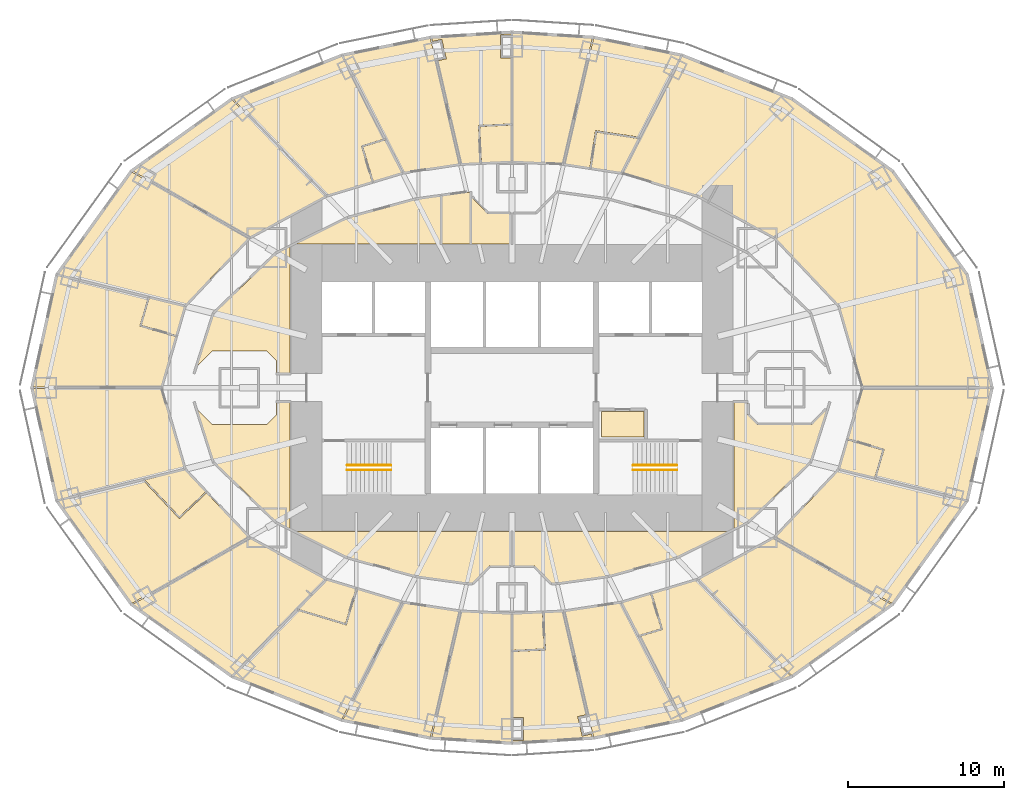
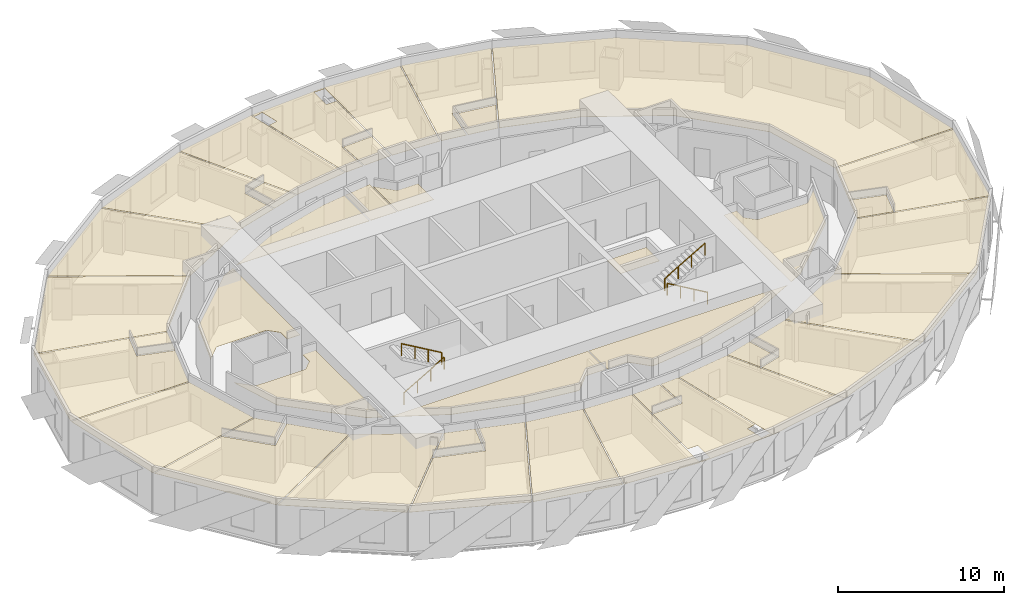
# One storey, part 15 of 15: 39 coverings, 4 railings.
"""IFC4 building model written with IfcOpenShell, lengths in metres."""

from ifc_helpers import new_model, si_unit, direction, frame, origin, origin_2d, place, context, subcontext, project, spatial, polyline, circle, outline, extrude, material, layer, layer_set, type_object, element, save


model = new_model("IFC4")

# Units and contexts
model_context = context("Model", 3, precision=1e-05, world=origin(), true_north=direction((0.0, 1.0)))
body_context = subcontext(model_context, "Body", "Model", "MODEL_VIEW")
ifc_project = project(units=[si_unit("LENGTHUNIT", "METRE"), si_unit("AREAUNIT", "SQUARE_METRE"), si_unit("VOLUMEUNIT", "CUBIC_METRE"), si_unit("PLANEANGLEUNIT", "RADIAN"), si_unit("MASSUNIT", "GRAM", prefix="KILO")], contexts=[model_context])

# Site, building, storey
site_placement = place(None, origin())
site = spatial("IfcSite", under=ifc_project, at=site_placement, CompositionType="ELEMENT")
building_placement = place(site_placement, origin())
building = spatial("IfcBuilding", under=site, at=building_placement, Name="Lantaw Convention Tower", CompositionType="ELEMENT")
storey_placement = place(building_placement, frame((0.0, 0.0, 101.800048828125)))
storey = spatial("IfcBuildingStorey", under=building, at=storey_placement, Name="L24", CompositionType="ELEMENT", Elevation=101.800048828125)

# Railings
ifc_material_1 = material(Name="Stainless steel", Category="steel")
railing_type = type_object("IfcRailingType", Name="Stair handrail", PredefinedType="HANDRAIL", material=ifc_material_1)
railing_1_placement = place(storey_placement, frame((-10.580078125, -5.280029296875, 0.16357421875)))
element("IfcRailing", 1, at=railing_1_placement, inside=storey, type_object=railing_type, Name="Stair handrail S1", PredefinedType="HANDRAIL", context=body_context, shape_type="SweptSolid", body=[
    extrude(circle(Radius=0.02392578125, at=origin_2d()), frame((0.0, 0.0, 0.8759765625), z_axis=(0.863360870873, 0.0, 0.504586966384), x_axis=(0.0, 1.0, 0.0)), (0.0, 0.0, 1.0), 3.2431640625),
    extrude(circle(Radius=0.02099609375, at=origin_2d()), origin(), (0.0, 0.0, 1.0), 0.851806640625),
    extrude(circle(Radius=0.02099609375, at=origin_2d()), frame((0.933349609375, 0.0, 0.54541015625)), (0.0, 0.0, 1.0), 0.851806640625),
    extrude(circle(Radius=0.02099609375, at=origin_2d()), frame((1.86669921875, 0.0, 1.091064453125)), (0.0, 0.0, 1.0), 0.851806640625),
    extrude(circle(Radius=0.02099609375, at=origin_2d()), frame((2.800048828125, 0.0, 1.636474609375)), (0.0, 0.0, 1.0), 0.851806640625),
])
railing_2_placement = place(storey_placement, frame((-7.780029296875, -4.97998046875, 1.963623046875)))
element("IfcRailing", 2, at=railing_2_placement, inside=storey, type_object=railing_type, Name="Stair handrail S1", PredefinedType="HANDRAIL", context=body_context, shape_type="SweptSolid", body=[
    extrude(circle(Radius=0.02392578125, at=origin_2d()), frame((0.0, 0.0, 0.8759765625), z_axis=(-0.863393664356, 0.0, 0.504530851732), x_axis=(0.0, -1.0, 0.0)), (0.0, 0.0, 1.0), 3.2431640625),
    extrude(circle(Radius=0.02099609375, at=origin_2d()), origin(), (0.0, 0.0, 1.0), 0.851806640625),
    extrude(circle(Radius=0.02099609375, at=origin_2d()), frame((-0.933349609375, 0.0, 0.54541015625)), (0.0, 0.0, 1.0), 0.851806640625),
    extrude(circle(Radius=0.02099609375, at=origin_2d()), frame((-1.86669921875, 0.0, 1.0908203125)), (0.0, 0.0, 1.0), 0.851806640625),
    extrude(circle(Radius=0.02099609375, at=origin_2d()), frame((-2.800048828125, 0.0, 1.63623046875)), (0.0, 0.0, 1.0), 0.851806640625),
])
railing_3_placement = place(storey_placement, frame((10.580078125, -5.280029296875, 0.16357421875)))
element("IfcRailing", 3, at=railing_3_placement, inside=storey, type_object=railing_type, Name="Stair handrail S2", PredefinedType="HANDRAIL", context=body_context, shape_type="SweptSolid", body=[
    extrude(circle(Radius=0.02392578125, at=origin_2d()), frame((0.0, 0.0, 0.8759765625), z_axis=(-0.863360870873, 0.0, 0.504586966384), x_axis=(0.0, -1.0, 0.0)), (0.0, 0.0, 1.0), 3.2431640625),
    extrude(circle(Radius=0.02099609375, at=origin_2d()), origin(), (0.0, 0.0, 1.0), 0.851806640625),
    extrude(circle(Radius=0.02099609375, at=origin_2d()), frame((-0.933349609375, 0.0, 0.54541015625)), (0.0, 0.0, 1.0), 0.851806640625),
    extrude(circle(Radius=0.02099609375, at=origin_2d()), frame((-1.86669921875, 0.0, 1.091064453125)), (0.0, 0.0, 1.0), 0.851806640625),
    extrude(circle(Radius=0.02099609375, at=origin_2d()), frame((-2.800048828125, 0.0, 1.636474609375)), (0.0, 0.0, 1.0), 0.851806640625),
])
railing_4_placement = place(storey_placement, frame((7.780029296875, -4.97998046875, 1.963623046875)))
element("IfcRailing", 4, at=railing_4_placement, inside=storey, type_object=railing_type, Name="Stair handrail S2", PredefinedType="HANDRAIL", context=body_context, shape_type="SweptSolid", body=[
    extrude(circle(Radius=0.02392578125, at=origin_2d()), frame((0.0, 0.0, 0.8759765625), z_axis=(0.863393664356, 0.0, 0.504530851732), x_axis=(0.0, 1.0, 0.0)), (0.0, 0.0, 1.0), 3.2431640625),
    extrude(circle(Radius=0.02099609375, at=origin_2d()), origin(), (0.0, 0.0, 1.0), 0.851806640625),
    extrude(circle(Radius=0.02099609375, at=origin_2d()), frame((0.933349609375, 0.0, 0.54541015625)), (0.0, 0.0, 1.0), 0.851806640625),
    extrude(circle(Radius=0.02099609375, at=origin_2d()), frame((1.86669921875, 0.0, 1.0908203125)), (0.0, 0.0, 1.0), 0.851806640625),
    extrude(circle(Radius=0.02099609375, at=origin_2d()), frame((2.800048828125, 0.0, 1.63623046875)), (0.0, 0.0, 1.0), 0.851806640625),
])

# Coverings
ifc_material_2 = material(Name="Gypsum board on steel suspension grid", Category="steel")
ifc_layer = layer(ifc_material_2, 0.02001953125)
ifc_layer_set = layer_set([ifc_layer], Name="Suspended ceiling")
covering_type = type_object("IfcCoveringType", Name="Suspended ceiling", PredefinedType="CEILING", material=ifc_layer_set)
covering_1_placement = place(storey_placement, frame((0.0, 0.0, 2.800048828125)))
element("IfcCovering", 5, at=covering_1_placement, inside=storey, type_object=covering_type, Name="Staff WC ceiling", PredefinedType="CEILING", context=body_context, shape_type="SweptSolid", body=[
    extrude(outline(polyline([(5.739990234375, -3.159912109375), (8.4599609375, -3.159912109375), (8.4599609375, -1.5400390625), (5.739990234375, -1.5400390625), (5.739990234375, -3.159912109375)])), origin(), (0.0, 0.0, 1.0), 0.02001953125),
])
covering_2_placement = place(storey_placement, frame((0.0, 0.0, 2.800048828125)))
element("IfcCovering", 6, at=covering_2_placement, inside=storey, type_object=covering_type, Name="Accessible WC ceiling", PredefinedType="CEILING", context=body_context, shape_type="SweptSolid", body=[
    extrude(outline(polyline([(-2.610107421875, 9.239990234375), (-0.114990234375, 9.239990234375), (-0.114990234375, 11.175048828125), (-1.548828125, 11.175048828125), (-2.324951171875, 11.951171875), (-2.324951171875, 11.96337890625), (-2.610107421875, 12.24755859375), (-2.610107421875, 9.239990234375)])), origin(), (0.0, 0.0, 1.0), 0.02001953125),
])
covering_3_placement = place(storey_placement, frame((0.0, 0.0, 2.800048828125)))
element("IfcCovering", 7, at=covering_3_placement, inside=storey, type_object=covering_type, Name="Staff WC ceiling", PredefinedType="CEILING", context=body_context, shape_type="SweptSolid", body=[
    extrude(outline(polyline([(-2.68994140625, 12.543701171875), (-2.8994140625, 12.53466796875), (-4.510009765625, 12.311767578125), (-4.510009765625, 9.239990234375), (-2.68994140625, 9.239990234375), (-2.68994140625, 12.543701171875)])), origin(), (0.0, 0.0, 1.0), 0.02001953125),
])
covering_4_placement = place(storey_placement, frame((0.0, 0.0, 2.800048828125)))
element("IfcCovering", 8, at=covering_4_placement, inside=storey, type_object=covering_type, Name="Housekeeping room ceiling", PredefinedType="CEILING", context=body_context, shape_type="SweptSolid", body=[
    extrude(outline(polyline([(-13.87451171875, 9.239990234375), (-4.60009765625, 9.239990234375), (-4.60009765625, 12.29931640625), (-6.168212890625, 12.082275390625), (-10.537109375, 10.888671875), (-13.87451171875, 9.239990234375)])), origin(), (0.0, 0.0, 1.0), 0.02001953125),
])
covering_5_placement = place(storey_placement, frame((0.0, 0.0, 2.800048828125)))
element("IfcCovering", 9, at=covering_5_placement, inside=storey, type_object=covering_type, Name="Housekeeping room ceiling", PredefinedType="CEILING", context=body_context, shape_type="SweptSolid", body=[
    extrude(outline(polyline([(-19.864990234375, 1.72900390625), (-19.864990234375, 1.7412109375), (-19.2412109375, 2.364990234375), (-15.7587890625, 2.364990234375), (-15.135009765625, 1.7412109375), (-15.135009765625, 0.93994140625), (-14.239990234375, 0.93994140625), (-14.239990234375, 9.0595703125), (-15.124267578125, 8.62255859375), (-19.141845703125, 4.759521484375), (-20.22021484375, 1.37451171875), (-19.864990234375, 1.72900390625)])), origin(), (0.0, 0.0, 1.0), 0.02001953125),
])
covering_6_placement = place(storey_placement, frame((0.0, 0.0, 2.800048828125)))
element("IfcCovering", 10, at=covering_6_placement, inside=storey, type_object=covering_type, Name="Staff room ceiling", PredefinedType="CEILING", context=body_context, shape_type="SweptSolid", body=[
    extrude(outline(polyline([(-10.537109375, -10.888671875), (-6.168212890625, -12.082275390625), (-2.8994140625, -12.53466796875), (-2.544677734375, -12.550048828125), (-2.06494140625, -12.071044921875), (-2.06494140625, -12.058837890625), (-1.441162109375, -11.43505859375), (-0.0400390625, -11.43505859375), (-0.0400390625, -9.239990234375), (-13.87451171875, -9.239990234375), (-10.537109375, -10.888671875)])), origin(), (0.0, 0.0, 1.0), 0.02001953125),
])
covering_7_placement = place(storey_placement, frame((0.0, 0.0, 2.800048828125)))
element("IfcCovering", 11, at=covering_7_placement, inside=storey, type_object=covering_type, Name="Staff room ceiling", PredefinedType="CEILING", context=body_context, shape_type="SweptSolid", body=[
    extrude(outline(polyline([(-19.864990234375, -1.7412109375), (-19.864990234375, -1.72900390625), (-20.22021484375, -1.37451171875), (-19.141845703125, -4.759521484375), (-15.124267578125, -8.62255859375), (-14.239990234375, -9.0595703125), (-14.239990234375, -0.93994140625), (-15.135009765625, -0.93994140625), (-15.135009765625, -1.7412109375), (-15.7587890625, -2.364990234375), (-19.2412109375, -2.364990234375), (-19.864990234375, -1.7412109375)])), origin(), (0.0, 0.0, 1.0), 0.02001953125),
])
covering_8_placement = place(storey_placement, frame((0.0, 0.0, 2.800048828125)))
element("IfcCovering", 12, at=covering_8_placement, inside=storey, type_object=covering_type, Name="Room service pantry ceiling", PredefinedType="CEILING", context=body_context, shape_type="SweptSolid", body=[
    extrude(outline(polyline([(2.06494140625, -12.071044921875), (2.544677734375, -12.550048828125), (2.8994140625, -12.53466796875), (6.168212890625, -12.082275390625), (10.537109375, -10.888671875), (13.87451171875, -9.239990234375), (0.0400390625, -9.239990234375), (0.0400390625, -11.43505859375), (1.441162109375, -11.43505859375), (2.06494140625, -12.058837890625), (2.06494140625, -12.071044921875)])), origin(), (0.0, 0.0, 1.0), 0.02001953125),
])
covering_9_placement = place(storey_placement, frame((0.0, 0.0, 2.800048828125)))
element("IfcCovering", 13, at=covering_9_placement, inside=storey, type_object=covering_type, Name="Room service pantry ceiling", PredefinedType="CEILING", context=body_context, shape_type="SweptSolid", body=[
    extrude(outline(polyline([(14.239990234375, -0.93994140625), (14.239990234375, -9.0595703125), (15.124267578125, -8.62255859375), (19.141845703125, -4.759521484375), (20.22021484375, -1.37451171875), (19.864990234375, -1.72900390625), (19.864990234375, -1.7412109375), (19.2412109375, -2.364990234375), (15.7587890625, -2.364990234375), (15.135009765625, -1.7412109375), (15.135009765625, -0.93994140625), (14.239990234375, -0.93994140625)])), origin(), (0.0, 0.0, 1.0), 0.02001953125),
])
covering_10_placement = place(storey_placement, frame((0.0, 0.0, 2.800048828125)))
element("IfcCovering", 14, at=covering_10_placement, inside=storey, type_object=covering_type, Name="Club lounge ceiling", PredefinedType="CEILING", context=body_context, shape_type="SweptSolid", body=[
    extrude(outline(polyline([(22.530029296875, 0.0400390625), (30.77099609375, 0.0400390625), (29.184814453125, 7.237060546875), (24.406005859375, 13.880126953125), (17.951171875, 18.50634765625), (10.930908203125, 21.294921875), (7.076904296875, 13.80078125), (11.90380859375, 12.347900390625), (16.859619140625, 9.652099609375), (21.02001953125, 5.25244140625), (22.530029296875, 0.0400390625)])), origin(), (0.0, 0.0, 1.0), 0.02001953125),
])
covering_11_placement = place(storey_placement, frame((0.0, 0.0, 2.800048828125)))
element("IfcCovering", 15, at=covering_11_placement, inside=storey, type_object=covering_type, Name="Suite bathroom ceiling", PredefinedType="CEILING", context=body_context, shape_type="SweptSolid", body=[
    extrude(outline(polyline([(6.996826171875, 13.8203125), (8.1064453125, 15.997802734375), (5.437744140625, 16.405029296875), (5.087890625, 14.111572265625), (6.996826171875, 13.8203125)])), origin(), (0.0, 0.0, 1.0), 0.02001953125),
])
covering_12_placement = place(storey_placement, frame((0.0, 0.0, 2.800048828125)))
element("IfcCovering", 16, at=covering_12_placement, inside=storey, type_object=covering_type, Name="Suite bedroom ceiling", PredefinedType="CEILING", context=body_context, shape_type="SweptSolid", body=[
    extrude(outline(polyline([(5.240966796875, 22.448974609375), (3.35986328125, 14.375244140625), (4.996826171875, 14.12548828125), (5.360595703125, 16.509765625), (8.160400390625, 16.08251953125), (10.852294921875, 21.31689453125), (5.240966796875, 22.448974609375)])), origin(), (0.0, 0.0, 1.0), 0.02001953125),
])
covering_13_placement = place(storey_placement, frame((0.0, 0.0, 2.800048828125)))
element("IfcCovering", 17, at=covering_13_placement, inside=storey, type_object=covering_type, Name="Suite living room ceiling", PredefinedType="CEILING", context=body_context, shape_type="SweptSolid", body=[
    extrude(outline(polyline([(3.27978515625, 14.3837890625), (5.1611328125, 22.458984375), (0.0400390625, 22.781982421875), (0.0400390625, 14.5380859375), (3.27978515625, 14.3837890625)])), origin(), (0.0, 0.0, 1.0), 0.02001953125),
])
covering_14_placement = place(storey_placement, frame((0.0, 0.0, 2.800048828125)))
element("IfcCovering", 18, at=covering_14_placement, inside=storey, type_object=covering_type, Name="Suite bathroom ceiling", PredefinedType="CEILING", context=body_context, shape_type="SweptSolid", body=[
    extrude(outline(polyline([(-0.0400390625, 14.5380859375), (-0.0400390625, 16.86083984375), (-2.070068359375, 16.763916015625), (-1.959716796875, 14.446533203125), (-0.0400390625, 14.5380859375)])), origin(), (0.0, 0.0, 1.0), 0.02001953125),
])
covering_15_placement = place(storey_placement, frame((0.0, 0.0, 2.800048828125)))
element("IfcCovering", 19, at=covering_15_placement, inside=storey, type_object=covering_type, Name="Suite bedroom ceiling", PredefinedType="CEILING", context=body_context, shape_type="SweptSolid", body=[
    extrude(outline(polyline([(-4.816650390625, 20.98046875), (-3.27978515625, 14.3837890625), (-2.03955078125, 14.44287109375), (-2.15380859375, 16.840087890625), (-0.0400390625, 16.94091796875), (-0.0400390625, 21.159912109375), (-0.739990234375, 21.159912109375), (-0.739990234375, 22.639892578125), (-0.0400390625, 22.639892578125), (-0.0400390625, 22.781982421875), (-5.1611328125, 22.458984375), (-5.107177734375, 22.22705078125), (-4.506591796875, 22.365478515625), (-4.21875, 21.118408203125), (-4.816650390625, 20.98046875)])), origin(), (0.0, 0.0, 1.0), 0.02001953125),
])
covering_16_placement = place(storey_placement, frame((0.0, 0.0, 2.800048828125)))
element("IfcCovering", 20, at=covering_16_placement, inside=storey, type_object=covering_type, Name="Suite living room ceiling", PredefinedType="CEILING", context=body_context, shape_type="SweptSolid", body=[
    extrude(outline(polyline([(-3.35986328125, 14.375244140625), (-5.240966796875, 22.448974609375), (-10.852294921875, 21.31689453125), (-6.9970703125, 13.8203125), (-3.35986328125, 14.375244140625)])), origin(), (0.0, 0.0, 1.0), 0.02001953125),
])
covering_17_placement = place(storey_placement, frame((0.0, 0.0, 2.800048828125)))
element("IfcCovering", 21, at=covering_17_placement, inside=storey, type_object=covering_type, Name="Suite bathroom ceiling", PredefinedType="CEILING", context=body_context, shape_type="SweptSolid", body=[
    extrude(outline(polyline([(-7.07666015625, 13.80078125), (-8.14697265625, 15.9013671875), (-9.576416015625, 15.47119140625), (-8.90771484375, 13.249755859375), (-7.07666015625, 13.80078125)])), origin(), (0.0, 0.0, 1.0), 0.02001953125),
])
covering_18_placement = place(storey_placement, frame((0.0, 0.0, 2.800048828125)))
element("IfcCovering", 22, at=covering_18_placement, inside=storey, type_object=covering_type, Name="Suite bedroom ceiling", PredefinedType="CEILING", context=body_context, shape_type="SweptSolid", body=[
    extrude(outline(polyline([(-11.876708984375, 12.35595703125), (-8.984375, 13.2265625), (-9.676025390625, 15.524658203125), (-8.193115234375, 15.97119140625), (-10.930908203125, 21.294921875), (-17.89990234375, 18.526611328125), (-11.876708984375, 12.35595703125)])), origin(), (0.0, 0.0, 1.0), 0.02001953125),
])
covering_19_placement = place(storey_placement, frame((0.0, 0.0, 2.800048828125)))
element("IfcCovering", 23, at=covering_19_placement, inside=storey, type_object=covering_type, Name="Suite living room ceiling", PredefinedType="CEILING", context=body_context, shape_type="SweptSolid", body=[
    extrude(outline(polyline([(-11.953857421875, 12.320556640625), (-17.97509765625, 18.4892578125), (-24.3603515625, 13.912841796875), (-16.834716796875, 9.665771484375), (-11.953857421875, 12.320556640625)])), origin(), (0.0, 0.0, 1.0), 0.02001953125),
])
covering_20_placement = place(storey_placement, frame((0.0, 0.0, 2.800048828125)))
element("IfcCovering", 24, at=covering_20_placement, inside=storey, type_object=covering_type, Name="Suite kitchenette and dining room ceiling", PredefinedType="CEILING", context=body_context, shape_type="SweptSolid", body=[
    extrude(outline(polyline([(-16.899169921875, 9.6103515625), (-24.423095703125, 13.8564453125), (-29.155029296875, 7.2783203125), (-20.997314453125, 5.2763671875), (-16.899169921875, 9.6103515625)])), origin(), (0.0, 0.0, 1.0), 0.02001953125),
])
covering_21_placement = place(storey_placement, frame((0.0, 0.0, 2.800048828125)))
element("IfcCovering", 25, at=covering_21_placement, inside=storey, type_object=covering_type, Name="Suite bathroom ceiling", PredefinedType="CEILING", context=body_context, shape_type="SweptSolid", body=[
    extrude(outline(polyline([(-21.0341796875, 5.203125), (-23.286865234375, 5.764892578125), (-23.79638671875, 4.006103515625), (-21.568115234375, 3.360595703125), (-21.0341796875, 5.203125)])), origin(), (0.0, 0.0, 1.0), 0.02001953125),
])
covering_22_placement = place(storey_placement, frame((0.0, 0.0, 2.800048828125)))
element("IfcCovering", 26, at=covering_22_placement, inside=storey, type_object=covering_type, Name="Suite bedroom ceiling", PredefinedType="CEILING", context=body_context, shape_type="SweptSolid", body=[
    extrude(outline(polyline([(-22.530029296875, 0.0400390625), (-21.59033203125, 3.28369140625), (-23.8955078125, 3.951416015625), (-23.3671875, 5.775634765625), (-29.191650390625, 7.205078125), (-30.77099609375, 0.0400390625), (-22.530029296875, 0.0400390625)])), origin(), (0.0, 0.0, 1.0), 0.02001953125),
])
covering_23_placement = place(storey_placement, frame((0.0, 0.0, 2.800048828125)))
element("IfcCovering", 27, at=covering_23_placement, inside=storey, type_object=covering_type, Name="Suite living room ceiling", PredefinedType="CEILING", context=body_context, shape_type="SweptSolid", body=[
    extrude(outline(polyline([(-22.530029296875, -0.0400390625), (-30.77099609375, -0.0400390625), (-29.191650390625, -7.205078125), (-21.0341796875, -5.203125), (-22.530029296875, -0.0400390625)])), origin(), (0.0, 0.0, 1.0), 0.02001953125),
])
covering_24_placement = place(storey_placement, frame((0.0, 0.0, 2.800048828125)))
element("IfcCovering", 28, at=covering_24_placement, inside=storey, type_object=covering_type, Name="Suite bathroom ceiling", PredefinedType="CEILING", context=body_context, shape_type="SweptSolid", body=[
    extrude(outline(polyline([(-20.997314453125, -5.2763671875), (-23.5810546875, -5.920654296875), (-21.352294921875, -8.277587890625), (-19.666748046875, -6.68359375), (-20.997314453125, -5.2763671875)])), origin(), (0.0, 0.0, 1.0), 0.02001953125),
])
covering_25_placement = place(storey_placement, frame((0.0, 0.0, 2.800048828125)))
element("IfcCovering", 29, at=covering_25_placement, inside=storey, type_object=covering_type, Name="Suite bedroom ceiling", PredefinedType="CEILING", context=body_context, shape_type="SweptSolid", body=[
    extrude(outline(polyline([(-16.899169921875, -9.6103515625), (-19.603515625, -6.75048828125), (-21.35595703125, -8.40771484375), (-23.691650390625, -5.9375), (-29.155029296875, -7.2783203125), (-24.423095703125, -13.8564453125), (-16.899169921875, -9.6103515625)])), origin(), (0.0, 0.0, 1.0), 0.02001953125),
])
covering_26_placement = place(storey_placement, frame((0.0, 0.0, 2.800048828125)))
element("IfcCovering", 30, at=covering_26_placement, inside=storey, type_object=covering_type, Name="Suite living room ceiling", PredefinedType="CEILING", context=body_context, shape_type="SweptSolid", body=[
    extrude(outline(polyline([(-16.834716796875, -9.665771484375), (-24.3603515625, -13.912841796875), (-17.97509765625, -18.4892578125), (-11.953857421875, -12.320556640625), (-16.834716796875, -9.665771484375)])), origin(), (0.0, 0.0, 1.0), 0.02001953125),
])
covering_27_placement = place(storey_placement, frame((0.0, 0.0, 2.800048828125)))
element("IfcCovering", 31, at=covering_27_placement, inside=storey, type_object=covering_type, Name="Suite bathroom ceiling", PredefinedType="CEILING", context=body_context, shape_type="SweptSolid", body=[
    extrude(outline(polyline([(-11.87646484375, -12.35595703125), (-13.689208984375, -14.233154296875), (-10.691650390625, -15.135498046875), (-10.02294921875, -12.9140625), (-11.87646484375, -12.35595703125)])), origin(), (0.0, 0.0, 1.0), 0.02001953125),
])
covering_28_placement = place(storey_placement, frame((0.0, 0.0, 2.800048828125)))
element("IfcCovering", 32, at=covering_28_placement, inside=storey, type_object=covering_type, Name="Suite bedroom ceiling", PredefinedType="CEILING", context=body_context, shape_type="SweptSolid", body=[
    extrude(outline(polyline([(-13.767578125, -14.293212890625), (-17.89990234375, -18.526611328125), (-10.930908203125, -21.294921875), (-7.076904296875, -13.80078125), (-9.946533203125, -12.93701171875), (-10.63818359375, -15.235107421875), (-13.767578125, -14.293212890625)])), origin(), (0.0, 0.0, 1.0), 0.02001953125),
])
covering_29_placement = place(storey_placement, frame((0.0, 0.0, 2.800048828125)))
element("IfcCovering", 33, at=covering_29_placement, inside=storey, type_object=covering_type, Name="Suite living room ceiling", PredefinedType="CEILING", context=body_context, shape_type="SweptSolid", body=[
    extrude(outline(polyline([(-6.9970703125, -13.8203125), (-10.852294921875, -21.31689453125), (-5.240966796875, -22.448974609375), (-3.35986328125, -14.375244140625), (-6.9970703125, -13.8203125)])), origin(), (0.0, 0.0, 1.0), 0.02001953125),
])
covering_30_placement = place(storey_placement, frame((0.0, 0.0, 2.800048828125)))
element("IfcCovering", 34, at=covering_30_placement, inside=storey, type_object=covering_type, Name="Suite kitchenette and dining room ceiling", PredefinedType="CEILING", context=body_context, shape_type="SweptSolid", body=[
    extrude(outline(polyline([(-3.27978515625, -14.3837890625), (-5.1611328125, -22.458984375), (-0.0400390625, -22.781982421875), (-0.0400390625, -14.5380859375), (-3.27978515625, -14.3837890625)])), origin(), (0.0, 0.0, 1.0), 0.02001953125),
])
covering_31_placement = place(storey_placement, frame((0.0, 0.0, 2.800048828125)))
element("IfcCovering", 35, at=covering_31_placement, inside=storey, type_object=covering_type, Name="Suite bathroom ceiling", PredefinedType="CEILING", context=body_context, shape_type="SweptSolid", body=[
    extrude(outline(polyline([(0.0400390625, -14.5380859375), (0.0400390625, -16.86083984375), (2.070068359375, -16.763916015625), (1.959716796875, -14.446533203125), (0.0400390625, -14.5380859375)])), origin(), (0.0, 0.0, 1.0), 0.02001953125),
])
covering_32_placement = place(storey_placement, frame((0.0, 0.0, 2.800048828125)))
element("IfcCovering", 36, at=covering_32_placement, inside=storey, type_object=covering_type, Name="Suite bedroom ceiling", PredefinedType="CEILING", context=body_context, shape_type="SweptSolid", body=[
    extrude(outline(polyline([(2.03955078125, -14.44287109375), (2.15380859375, -16.840087890625), (0.0400390625, -16.94091796875), (0.0400390625, -21.159912109375), (0.739990234375, -21.159912109375), (0.739990234375, -22.639892578125), (0.0400390625, -22.639892578125), (0.0400390625, -22.781982421875), (5.1611328125, -22.458984375), (5.107177734375, -22.22705078125), (4.506591796875, -22.365478515625), (4.21875, -21.118408203125), (4.816650390625, -20.98046875), (3.27978515625, -14.3837890625), (2.03955078125, -14.44287109375)])), origin(), (0.0, 0.0, 1.0), 0.02001953125),
])
covering_33_placement = place(storey_placement, frame((0.0, 0.0, 2.800048828125)))
element("IfcCovering", 37, at=covering_33_placement, inside=storey, type_object=covering_type, Name="Suite living room ceiling", PredefinedType="CEILING", context=body_context, shape_type="SweptSolid", body=[
    extrude(outline(polyline([(3.35986328125, -14.375244140625), (5.240966796875, -22.448974609375), (10.852294921875, -21.31689453125), (6.9970703125, -13.8203125), (3.35986328125, -14.375244140625)])), origin(), (0.0, 0.0, 1.0), 0.02001953125),
])
covering_34_placement = place(storey_placement, frame((0.0, 0.0, 2.800048828125)))
element("IfcCovering", 38, at=covering_34_placement, inside=storey, type_object=covering_type, Name="Suite bathroom ceiling", PredefinedType="CEILING", context=body_context, shape_type="SweptSolid", body=[
    extrude(outline(polyline([(7.07666015625, -13.80078125), (8.14697265625, -15.9013671875), (9.576416015625, -15.47119140625), (8.90771484375, -13.249755859375), (7.07666015625, -13.80078125)])), origin(), (0.0, 0.0, 1.0), 0.02001953125),
])
covering_35_placement = place(storey_placement, frame((0.0, 0.0, 2.800048828125)))
element("IfcCovering", 39, at=covering_35_placement, inside=storey, type_object=covering_type, Name="Suite bedroom ceiling", PredefinedType="CEILING", context=body_context, shape_type="SweptSolid", body=[
    extrude(outline(polyline([(8.984375, -13.2265625), (9.676025390625, -15.524658203125), (8.193115234375, -15.97119140625), (10.930908203125, -21.294921875), (17.89990234375, -18.526611328125), (11.876708984375, -12.35595703125), (8.984375, -13.2265625)])), origin(), (0.0, 0.0, 1.0), 0.02001953125),
])
covering_36_placement = place(storey_placement, frame((0.0, 0.0, 2.800048828125)))
element("IfcCovering", 40, at=covering_36_placement, inside=storey, type_object=covering_type, Name="Suite living room ceiling", PredefinedType="CEILING", context=body_context, shape_type="SweptSolid", body=[
    extrude(outline(polyline([(11.953857421875, -12.320556640625), (17.97509765625, -18.4892578125), (24.3603515625, -13.912841796875), (16.834716796875, -9.665771484375), (11.953857421875, -12.320556640625)])), origin(), (0.0, 0.0, 1.0), 0.02001953125),
])
covering_37_placement = place(storey_placement, frame((0.0, 0.0, 2.800048828125)))
element("IfcCovering", 41, at=covering_37_placement, inside=storey, type_object=covering_type, Name="Suite kitchenette and dining room ceiling", PredefinedType="CEILING", context=body_context, shape_type="SweptSolid", body=[
    extrude(outline(polyline([(16.899169921875, -9.6103515625), (24.423095703125, -13.8564453125), (29.155029296875, -7.2783203125), (20.997314453125, -5.2763671875), (16.899169921875, -9.6103515625)])), origin(), (0.0, 0.0, 1.0), 0.02001953125),
])
covering_38_placement = place(storey_placement, frame((0.0, 0.0, 2.800048828125)))
element("IfcCovering", 42, at=covering_38_placement, inside=storey, type_object=covering_type, Name="Guest bathroom ceiling", PredefinedType="CEILING", context=body_context, shape_type="SweptSolid", body=[
    extrude(outline(polyline([(21.0341796875, -5.203125), (23.286865234375, -5.764892578125), (23.79638671875, -4.006103515625), (21.568115234375, -3.360595703125), (21.0341796875, -5.203125)])), origin(), (0.0, 0.0, 1.0), 0.02001953125),
])
covering_39_placement = place(storey_placement, frame((0.0, 0.0, 2.800048828125)))
element("IfcCovering", 43, at=covering_39_placement, inside=storey, type_object=covering_type, Name="Guest room ceiling", PredefinedType="CEILING", context=body_context, shape_type="SweptSolid", body=[
    extrude(outline(polyline([(22.530029296875, -0.0400390625), (21.59033203125, -3.28369140625), (23.8955078125, -3.951416015625), (23.3671875, -5.775634765625), (29.191650390625, -7.205078125), (30.77099609375, -0.0400390625), (22.530029296875, -0.0400390625)])), origin(), (0.0, 0.0, 1.0), 0.02001953125),
])

save(model, "model.ifc")
